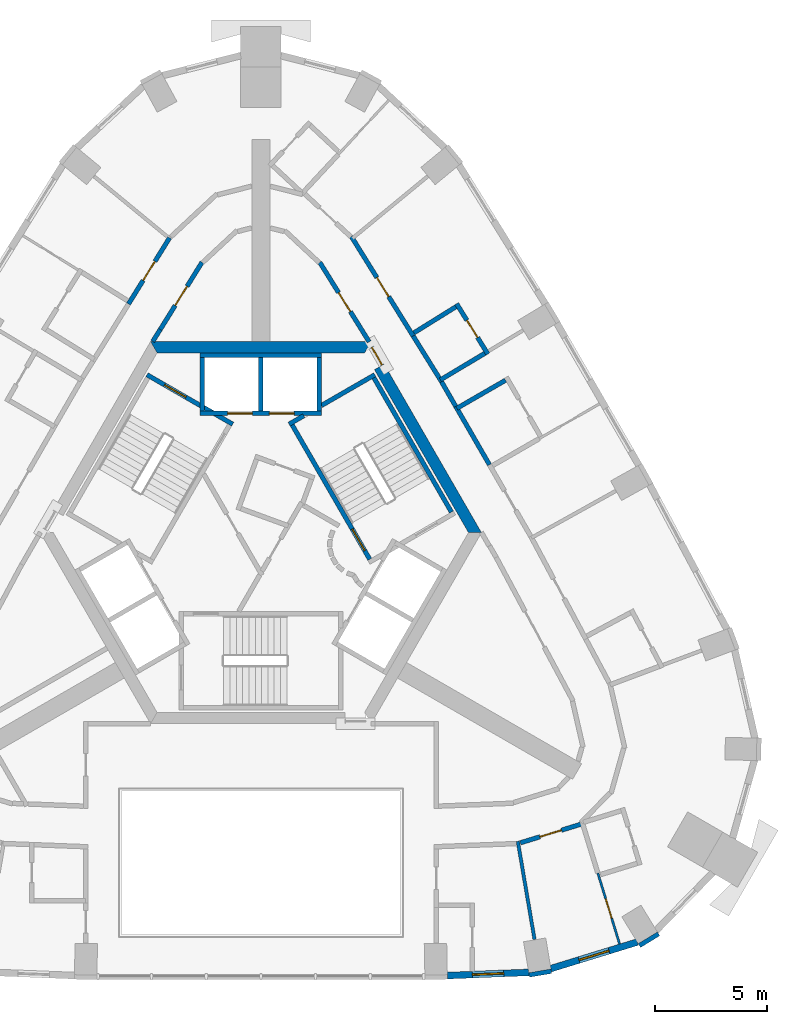
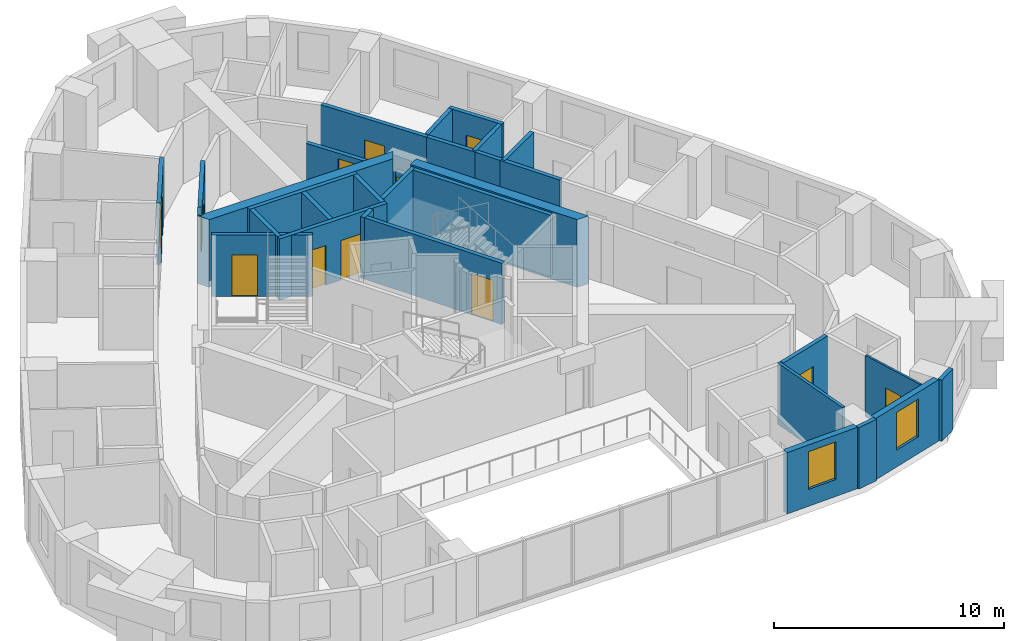
# One storey, part 5 of 10: 32 walls, 12 doors, 2 windows, 14 openings.
"""IFC4 building model written with IfcOpenShell, lengths in metres."""

from ifc_helpers import new_model, si_unit, direction, frame, frame_2d, origin, place, context, subcontext, project, spatial, polyline, rectangle, outline, extrude, material, layer, layer_set, type_object, element, fill, save


model = new_model("IFC4")

# Units and contexts
model_context = context("Model", 3, precision=1e-05, world=origin(), true_north=direction((0.0, 1.0)))
body_context = subcontext(model_context, "Body", "Model", "MODEL_VIEW")
ifc_project = project(units=[si_unit("LENGTHUNIT", "METRE"), si_unit("AREAUNIT", "SQUARE_METRE"), si_unit("VOLUMEUNIT", "CUBIC_METRE"), si_unit("PLANEANGLEUNIT", "RADIAN"), si_unit("MASSUNIT", "GRAM", prefix="KILO")], contexts=[model_context])

# Site, building, storey
site_placement = place(None, origin())
site = spatial("IfcSite", under=ifc_project, at=site_placement, CompositionType="ELEMENT")
building_placement = place(site_placement, origin())
building = spatial("IfcBuilding", under=site, at=building_placement, Name="Entoto Arch Interchange Tower", CompositionType="ELEMENT")
storey_placement = place(building_placement, frame((0.0, 0.0, 293.60009765625)))
storey = spatial("IfcBuildingStorey", under=building, at=storey_placement, Name="L68", CompositionType="ELEMENT", Elevation=293.60009765625)

# Wall, opening, door
ifc_material_1 = material(Name="Reinforced concrete C40/50", Category="concrete")
ifc_layer_1 = layer(ifc_material_1, 0.199951171875)
ifc_layer_set_1 = layer_set([ifc_layer_1], Name="Reinforced concrete C40/50")
wall_type_1 = type_object("IfcWallType", Name="CORE GAP INFILL WALL", PredefinedType="PARTITIONING", material=ifc_layer_set_1)
wall_1_placement = place(storey_placement, frame((5.39892578125, 9.947998046875, 0.0), z_axis=(0.0, 0.0, 1.0), x_axis=(-0.499882215713, 0.866093395895, 0.0)))
wall_1 = element("IfcWall", 1, at=wall_1_placement, inside=storey, type_object=wall_type_1, Name="wall:L68:gap2", PredefinedType="PARTITIONING", context=body_context, shape_type="SweptSolid", body=[
    extrude(rectangle(XDim=0.926025390625, YDim=0.199951171875, at=frame_2d((0.462890625, 0.0))), origin(), (0.0, 0.0, 1.0), 2.39990234375),
])
opening_1_placement = place(wall_1_placement, frame((0.01708984375, 0.0, 0.0)))
opening_1 = element("IfcOpeningElement", 2, at=opening_1_placement, cuts=wall_1, Name="Opening L68-D92", PredefinedType="OPENING", context=body_context, shape_type="SweptSolid", body=[
    extrude(rectangle(XDim=0.89990234375, YDim=2.10009765625, at=frame_2d((0.449951171875, 1.050048828125))), frame((0.0, 0.10986328125, 0.0), z_axis=(0.0, -1.0, 0.0), x_axis=(1.0, 0.0, 0.0)), (0.0, 0.0, 1.0), 0.219970703125),
])
ifc_material_2 = material(Name="Fire-rated Steel S235 door and frame", Category="steel")
door_type_1 = type_object("IfcDoorType", Name="DOOR FD-09 900x2100", OperationType="SINGLE_SWING_LEFT", PredefinedType="DOOR", material=ifc_material_2)
door_1_placement = place(opening_1_placement, origin())
door_1 = element("IfcDoor", 3, at=door_1_placement, inside=storey, type_object=door_type_1, Name="door:L68:gap2", OperationType="SINGLE_SWING_LEFT", OverallHeight=2.10009765625, OverallWidth=0.89990234375, PredefinedType="DOOR", context=body_context, shape_type="SweptSolid", body=[
    extrude(rectangle(XDim=0.89990234375, YDim=2.10009765625, at=frame_2d((0.449951171875, 1.050048828125))), frame((0.0, 0.02490234375, 0.0), z_axis=(0.0, -1.0, 0.0), x_axis=(1.0, 0.0, 0.0)), (0.0, 0.0, 1.0), 0.050048828125),
])
fill(opening_1, door_1)

# Walls
ifc_material_3 = material(Name="Concrete C40/50", Category="concrete")
ifc_layer_2 = layer(ifc_material_3, 0.5)
ifc_layer_set_2 = layer_set([ifc_layer_2], Name="Concrete C40/50")
wall_type_2 = type_object("IfcWallType", Name="Core wall 500 C40/50", PredefinedType="SHEAR", material=ifc_layer_set_2)
wall_2_placement = place(storey_placement, frame((0.0, 0.0, -0.340087890625)))
element("IfcWall", 4, at=wall_2_placement, inside=storey, type_object=wall_type_2, Name="Core wall NE L68", PredefinedType="SHEAR", context=body_context, shape_type="SweptSolid", body=[
    extrude(outline(polyline([(5.486083984375, 9.998046875), (5.052978515625, 9.748046875), (9.238037109375, 2.5), (9.81494140625, 2.5), (5.486083984375, 9.998046875)])), origin(), (0.0, 0.0, 1.0), 3.60009765625),
])
wall_3_placement = place(storey_placement, frame((0.0, 0.0, -0.340087890625)))
element("IfcWall", 5, at=wall_3_placement, inside=storey, type_object=wall_type_2, Name="Core wall N L68", PredefinedType="SHEAR", context=body_context, shape_type="SweptSolid", body=[
    extrude(outline(polyline([(4.906982421875, 11.0), (-4.906982421875, 11.0), (-4.618896484375, 10.5), (4.618896484375, 10.5), (4.906982421875, 11.0)])), origin(), (0.0, 0.0, 1.0), 3.60009765625),
])

# Wall, openings, doors
ifc_layer_3 = layer(ifc_material_3, 0.199951171875)
ifc_layer_set_3 = layer_set([ifc_layer_3], Name="Concrete C40/50")
wall_type_3 = type_object("IfcWallType", Name="LIFT SHAFT WALL 200", PredefinedType="STANDARD", material=ifc_layer_set_3)
wall_4_placement = place(storey_placement, frame((2.699951171875, 7.800048828125, 0.0), z_axis=(0.0, 0.0, 1.0), x_axis=(-1.0, 0.0, 0.0)))
wall_4 = element("IfcWall", 6, at=wall_4_placement, inside=storey, type_object=wall_type_3, Name="Shaft wall N1 front", PredefinedType="STANDARD", context=body_context, shape_type="SweptSolid", body=[
    extrude(rectangle(XDim=5.39990234375, YDim=0.199951171875, at=frame_2d((2.699951171875, 0.0))), origin(), (0.0, 0.0, 1.0), 3.260009765625),
])
opening_2_placement = place(wall_4_placement, frame((1.22509765625, 0.0, 0.0)))
opening_2 = element("IfcOpeningElement", 7, at=opening_2_placement, cuts=wall_4, Name="Opening LD-HR1-L68", PredefinedType="OPENING", context=body_context, shape_type="SweptSolid", body=[
    extrude(rectangle(XDim=1.10009765625, YDim=2.10009765625, at=frame_2d((0.550048828125, 1.050048828125))), frame((0.0, 0.10986328125, 0.0), z_axis=(0.0, -1.0, 0.0), x_axis=(1.0, 0.0, 0.0)), (0.0, 0.0, 1.0), 0.219970703125),
])
opening_3_placement = place(wall_4_placement, frame((3.074951171875, 0.0, 0.0)))
opening_3 = element("IfcOpeningElement", 8, at=opening_3_placement, cuts=wall_4, Name="Opening LD-HR2-L68", PredefinedType="OPENING", context=body_context, shape_type="SweptSolid", body=[
    extrude(rectangle(XDim=1.10009765625, YDim=2.10009765625, at=frame_2d((0.550048828125, 1.050048828125))), frame((0.0, 0.10986328125, 0.0), z_axis=(0.0, -1.0, 0.0), x_axis=(1.0, 0.0, 0.0)), (0.0, 0.0, 1.0), 0.219970703125),
])
ifc_material_4 = material(Name="Stainless steel 1.4301 panels", Category="steel")
door_type_2 = type_object("IfcDoorType", Name="LIFT LANDING DOOR LD1 1100x2100", OperationType="SLIDING_TO_LEFT", PredefinedType="DOOR", material=ifc_material_4)
door_2_placement = place(opening_2_placement, origin())
door_2 = element("IfcDoor", 9, at=door_2_placement, inside=storey, type_object=door_type_2, Name="Lift landing door HR1 L68", OperationType="SLIDING_TO_LEFT", OverallHeight=2.10009765625, OverallWidth=1.10009765625, PredefinedType="DOOR", context=body_context, shape_type="SweptSolid", body=[
    extrude(rectangle(XDim=1.10009765625, YDim=2.10009765625, at=frame_2d((0.550048828125, 1.050048828125))), frame((0.0, 0.02490234375, 0.0), z_axis=(0.0, -1.0, 0.0), x_axis=(1.0, 0.0, 0.0)), (0.0, 0.0, 1.0), 0.050048828125),
])
fill(opening_2, door_2)
door_3_placement = place(opening_3_placement, origin())
door_3 = element("IfcDoor", 10, at=door_3_placement, inside=storey, type_object=door_type_2, Name="Lift landing door HR2 L68", OperationType="SLIDING_TO_LEFT", OverallHeight=2.10009765625, OverallWidth=1.10009765625, PredefinedType="DOOR", context=body_context, shape_type="SweptSolid", body=[
    extrude(rectangle(XDim=1.10009765625, YDim=2.10009765625, at=frame_2d((0.550048828125, 1.050048828125))), frame((0.0, 0.02490234375, 0.0), z_axis=(0.0, -1.0, 0.0), x_axis=(1.0, 0.0, 0.0)), (0.0, 0.0, 1.0), 0.050048828125),
])
fill(opening_3, door_3)

# Walls
wall_5_placement = place(storey_placement, frame((2.699951171875, 10.39990234375, 0.0), z_axis=(0.0, 0.0, 1.0), x_axis=(-1.0, 0.0, 0.0)))
element("IfcWall", 11, at=wall_5_placement, inside=storey, type_object=wall_type_3, Name="Shaft wall N1 back", PredefinedType="STANDARD", context=body_context, shape_type="SweptSolid", body=[
    extrude(rectangle(XDim=5.39990234375, YDim=0.199951171875, at=frame_2d((2.699951171875, 0.0))), origin(), (0.0, 0.0, 1.0), 3.260009765625),
])
for number, where, z_axis, x_axis, name in (
    (12, (2.60009765625, 7.89990234375, 0.0), (0.0, 0.0, 1.0), (0.0, 1.0, 0.0), "Shaft wall N1 cross 1"),
    (13, (0.0, 7.89990234375, 0.0), (0.0, 0.0, 1.0), (0.0, 1.0, 0.0), "Shaft wall N1 cross 2"),
    (14, (-2.60009765625, 7.89990234375, 0.0), (0.0, 0.0, 1.0), (0.0, 1.0, 0.0), "Shaft wall N1 cross 3"),
):
    element("IfcWall", number, at=place(storey_placement, frame(where, z_axis=z_axis, x_axis=x_axis)), inside=storey, type_object=wall_type_3, Name=name, PredefinedType="STANDARD", context=body_context, shape_type="SweptSolid", body=[
        extrude(rectangle(XDim=2.400146484375, YDim=0.199951171875, at=frame_2d((1.2001953125, 0.0))), origin(), (0.0, 0.0, 1.0), 3.260009765625),
    ])

# Wall, opening, door
ifc_material_5 = material(Name="Gypsum board partition on steel studs", Category="steel")
ifc_layer_4 = layer(ifc_material_5, 0.10009765625)
ifc_layer_set_4 = layer_set([ifc_layer_4], Name="Gypsum board partition on steel studs")
wall_type_4 = type_object("IfcWallType", Name="PARTITION 100", PredefinedType="PARTITIONING", material=ifc_layer_set_4)
wall_6_placement = place(storey_placement, frame((14.991943359375, -12.64990234375, 0.0), z_axis=(0.0, 0.0, 1.0), x_axis=(0.293675064948, -0.955905307145, 0.0)))
wall_6 = element("IfcWall", 15, at=wall_6_placement, inside=storey, type_object=wall_type_4, Name="wall:L68:p088", PredefinedType="PARTITIONING", context=body_context, shape_type="SweptSolid", body=[
    extrude(rectangle(XDim=3.299560546875, YDim=0.10009765625, at=frame_2d((1.64990234375, 0.0))), origin(), (0.0, 0.0, 1.0), 3.260009765625),
])
opening_4_placement = place(wall_6_placement, frame((1.199951171875, 0.0, 0.0)))
opening_4 = element("IfcOpeningElement", 16, at=opening_4_placement, cuts=wall_6, Name="Opening L68-D04", PredefinedType="OPENING", context=body_context, shape_type="SweptSolid", body=[
    extrude(rectangle(XDim=0.89990234375, YDim=2.10009765625, at=frame_2d((0.449951171875, 1.050048828125))), frame((0.0, 0.06005859375, 0.0), z_axis=(0.0, -1.0, 0.0), x_axis=(1.0, 0.0, 0.0)), (0.0, 0.0, 1.0), 0.1201171875),
])
ifc_material_6 = material(Name="Timber door leaf in Steel S235 frame", Category="steel")
door_type_3 = type_object("IfcDoorType", Name="DOOR DS-09 900x2100", OperationType="SINGLE_SWING_LEFT", PredefinedType="DOOR", material=ifc_material_6)
door_4_placement = place(opening_4_placement, origin())
door_4 = element("IfcDoor", 17, at=door_4_placement, inside=storey, type_object=door_type_3, Name="door:L68:04", OperationType="SINGLE_SWING_LEFT", OverallHeight=2.10009765625, OverallWidth=0.89990234375, PredefinedType="DOOR", context=body_context, shape_type="SweptSolid", body=[
    extrude(rectangle(XDim=0.89990234375, YDim=2.10009765625, at=frame_2d((0.449951171875, 1.050048828125))), frame((0.0, 0.02490234375, 0.0), z_axis=(0.0, -1.0, 0.0), x_axis=(1.0, 0.0, 0.0)), (0.0, 0.0, 1.0), 0.050048828125),
])
fill(opening_4, door_4)

# Wall
ifc_layer_5 = layer(ifc_material_5, 0.14990234375)
ifc_layer_set_5 = layer_set([ifc_layer_5], Name="Gypsum board partition on steel studs")
wall_type_5 = type_object("IfcWallType", Name="PARTITION 150", PredefinedType="PARTITIONING", material=ifc_layer_set_5)
wall_7_placement = place(storey_placement, frame((11.431884765625, -11.23388671875, 0.0), z_axis=(0.0, 0.0, 1.0), x_axis=(0.16797255243, -0.98579167253, 0.0)))
element("IfcWall", 18, at=wall_7_placement, inside=storey, type_object=wall_type_5, Name="wall:L68:p087", PredefinedType="PARTITIONING", context=body_context, shape_type="SweptSolid", body=[
    extrude(rectangle(XDim=4.43017578125, YDim=0.14990234375, at=frame_2d((2.215087890625, 0.0))), origin(), (0.0, 0.0, 1.0), 3.260009765625),
])

# Wall, opening, door
ifc_layer_6 = layer(ifc_material_5, 0.199951171875)
ifc_layer_set_6 = layer_set([ifc_layer_6], Name="Gypsum board partition on steel studs")
wall_type_6 = type_object("IfcWallType", Name="PARTITION 200", PredefinedType="PARTITIONING", material=ifc_layer_set_6)
wall_8_placement = place(storey_placement, frame((2.6201171875, 14.52587890625, 0.0), z_axis=(0.0, 0.0, 1.0), x_axis=(0.527726136463, -0.84941457775, 0.0)))
wall_8 = element("IfcWall", 19, at=wall_8_placement, inside=storey, type_object=wall_type_6, Name="wall:L68:p006", PredefinedType="PARTITIONING", context=body_context, shape_type="SweptSolid", body=[
    extrude(rectangle(XDim=4.1650390625, YDim=0.199951171875, at=frame_2d((2.08251953125, 0.0))), origin(), (0.0, 0.0, 1.0), 2.39990234375),
])
opening_5_placement = place(wall_8_placement, frame((1.5830078125, 0.0, 0.0)))
opening_5 = element("IfcOpeningElement", 20, at=opening_5_placement, cuts=wall_8, Name="Opening L68-D29", PredefinedType="OPENING", context=body_context, shape_type="SweptSolid", body=[
    extrude(rectangle(XDim=1.0, YDim=2.10009765625, at=frame_2d((0.5, 1.050048828125))), frame((0.0, 0.10986328125, 0.0), z_axis=(0.0, -1.0, 0.0), x_axis=(1.0, 0.0, 0.0)), (0.0, 0.0, 1.0), 0.219970703125),
])
door_type_4 = type_object("IfcDoorType", Name="DOOR DS-10 1000x2100", OperationType="SINGLE_SWING_LEFT", PredefinedType="DOOR", material=ifc_material_6)
door_5_placement = place(opening_5_placement, origin())
door_5 = element("IfcDoor", 21, at=door_5_placement, inside=storey, type_object=door_type_4, Name="door:L68:29", OperationType="SINGLE_SWING_RIGHT", OverallHeight=2.10009765625, OverallWidth=1.0, PredefinedType="DOOR", context=body_context, shape_type="SweptSolid", body=[
    extrude(rectangle(XDim=1.0, YDim=2.10009765625, at=frame_2d((0.5, 1.050048828125))), frame((0.0, 0.02490234375, 0.0), z_axis=(0.0, -1.0, 0.0), x_axis=(1.0, 0.0, 0.0)), (0.0, 0.0, 1.0), 0.050048828125),
])
fill(opening_5, door_5)

wall_9_placement = place(storey_placement, frame((-2.6201171875, 14.52587890625, 0.0), z_axis=(0.0, 0.0, 1.0), x_axis=(-0.527787942423, -0.849376175692, 0.0)))
wall_9 = element("IfcWall", 22, at=wall_9_placement, inside=storey, type_object=wall_type_6, Name="wall:L68:p011", PredefinedType="PARTITIONING", context=body_context, shape_type="SweptSolid", body=[
    extrude(rectangle(XDim=3.5166015625, YDim=0.199951171875, at=frame_2d((1.75830078125, 0.0))), origin(), (0.0, 0.0, 1.0), 3.260009765625),
])
opening_6_placement = place(wall_9_placement, frame((1.258056640625, 0.0, 0.0)))
opening_6 = element("IfcOpeningElement", 23, at=opening_6_placement, cuts=wall_9, Name="Opening L68-D30", PredefinedType="OPENING", context=body_context, shape_type="SweptSolid", body=[
    extrude(rectangle(XDim=1.0, YDim=2.10009765625, at=frame_2d((0.5, 1.050048828125))), frame((0.0, 0.10986328125, 0.0), z_axis=(0.0, -1.0, 0.0), x_axis=(1.0, 0.0, 0.0)), (0.0, 0.0, 1.0), 0.219970703125),
])
door_6_placement = place(opening_6_placement, origin())
door_6 = element("IfcDoor", 24, at=door_6_placement, inside=storey, type_object=door_type_4, Name="door:L68:30", OperationType="SINGLE_SWING_RIGHT", OverallHeight=2.10009765625, OverallWidth=1.0, PredefinedType="DOOR", context=body_context, shape_type="SweptSolid", body=[
    extrude(rectangle(XDim=1.0, YDim=2.10009765625, at=frame_2d((0.5, 1.050048828125))), frame((0.0, 0.02490234375, 0.0), z_axis=(0.0, -1.0, 0.0), x_axis=(1.0, 0.0, 0.0)), (0.0, 0.0, 1.0), 0.050048828125),
])
fill(opening_6, door_6)

# Wall
wall_10_placement = place(storey_placement, frame((-4.47802734375, 11.5400390625, 0.0), z_axis=(0.0, 0.0, 1.0), x_axis=(-0.527362861778, -0.849640166198, 0.0)))
element("IfcWall", 25, at=wall_10_placement, inside=storey, type_object=wall_type_6, Name="wall:L68:p012", PredefinedType="PARTITIONING", context=body_context, shape_type="SweptSolid", body=[
    extrude(rectangle(XDim=0.63330078125, YDim=0.199951171875, at=frame_2d((0.316650390625, 0.0))), origin(), (0.0, 0.0, 1.0), 3.260009765625),
])

# Wall, opening, door
wall_11_placement = place(storey_placement, frame((14.242919921875, -10.47412109375, 0.0), z_axis=(0.0, 0.0, 1.0), x_axis=(-0.955937788993, -0.293569316475, 0.0)))
wall_11 = element("IfcWall", 26, at=wall_11_placement, inside=storey, type_object=wall_type_6, Name="wall:L68:p031", PredefinedType="PARTITIONING", context=body_context, shape_type="SweptSolid", body=[
    extrude(rectangle(XDim=2.823486328125, YDim=0.199951171875, at=frame_2d((1.41162109375, 0.0))), origin(), (0.0, 0.0, 1.0), 3.260009765625),
])
opening_7_placement = place(wall_11_placement, frame((0.912109375, 0.0, 0.0)))
opening_7 = element("IfcOpeningElement", 27, at=opening_7_placement, cuts=wall_11, Name="Opening L68-D03", PredefinedType="OPENING", context=body_context, shape_type="SweptSolid", body=[
    extrude(rectangle(XDim=1.0, YDim=2.10009765625, at=frame_2d((0.5, 1.050048828125))), frame((0.0, 0.10986328125, 0.0), z_axis=(0.0, -1.0, 0.0), x_axis=(1.0, 0.0, 0.0)), (0.0, 0.0, 1.0), 0.219970703125),
])
door_type_5 = type_object("IfcDoorType", Name="DOOR FD-10 1000x2100", OperationType="SINGLE_SWING_LEFT", PredefinedType="DOOR", material=ifc_material_2)
door_7_placement = place(opening_7_placement, origin())
door_7 = element("IfcDoor", 28, at=door_7_placement, inside=storey, type_object=door_type_5, Name="door:L68:03", OperationType="SINGLE_SWING_LEFT", OverallHeight=2.10009765625, OverallWidth=1.0, PredefinedType="DOOR", context=body_context, shape_type="SweptSolid", body=[
    extrude(rectangle(XDim=1.0, YDim=2.10009765625, at=frame_2d((0.5, 1.050048828125))), frame((0.0, 0.02490234375, 0.0), z_axis=(0.0, -1.0, 0.0), x_axis=(1.0, 0.0, 0.0)), (0.0, 0.0, 1.0), 0.050048828125),
])
fill(opening_7, door_7)

# Walls
wall_12_placement = place(storey_placement, frame((8.0390625, 9.208984375, 0.0), z_axis=(0.0, 0.0, 1.0), x_axis=(0.500219543227, -0.865898613334, 0.0)))
element("IfcWall", 29, at=wall_12_placement, inside=storey, type_object=wall_type_6, Name="wall:L68:p038", PredefinedType="PARTITIONING", context=body_context, shape_type="SweptSolid", body=[
    extrude(rectangle(XDim=1.26123046875, YDim=0.199951171875, at=frame_2d((0.630615234375, 0.0))), origin(), (0.0, 0.0, 1.0), 3.260009765625),
])
wall_13_placement = place(storey_placement, frame((8.669921875, 8.116943359375, 0.0), z_axis=(0.0, 0.0, 1.0), x_axis=(0.50002537861, -0.866010750942, 0.0)))
element("IfcWall", 30, at=wall_13_placement, inside=storey, type_object=wall_type_6, Name="wall:L68:p039", PredefinedType="PARTITIONING", context=body_context, shape_type="SweptSolid", body=[
    extrude(rectangle(XDim=2.999755859375, YDim=0.199951171875, at=frame_2d((1.5, 0.0))), origin(), (0.0, 0.0, 1.0), 3.260009765625),
])

# Wall, opening, door
wall_14_placement = place(storey_placement, frame((4.02197265625, 15.679931640625, 0.0), z_axis=(0.0, 0.0, 1.0), x_axis=(0.527737948498, -0.849407239029, 0.0)))
wall_14 = element("IfcWall", 31, at=wall_14_placement, inside=storey, type_object=wall_type_6, Name="wall:L68:p040", PredefinedType="PARTITIONING", context=body_context, shape_type="SweptSolid", body=[
    extrude(rectangle(XDim=5.216552734375, YDim=0.199951171875, at=frame_2d((2.6083984375, 0.0))), origin(), (0.0, 0.0, 1.0), 3.260009765625),
])
opening_8_placement = place(wall_14_placement, frame((2.158935546875, 0.0, 0.0)))
opening_8 = element("IfcOpeningElement", 32, at=opening_8_placement, cuts=wall_14, Name="Opening L68-D11", PredefinedType="OPENING", context=body_context, shape_type="SweptSolid", body=[
    extrude(rectangle(XDim=1.0, YDim=2.10009765625, at=frame_2d((0.5, 1.050048828125))), frame((0.0, 0.10986328125, 0.0), z_axis=(0.0, -1.0, 0.0), x_axis=(1.0, 0.0, 0.0)), (0.0, 0.0, 1.0), 0.219970703125),
])
door_8_placement = place(opening_8_placement, origin())
door_8 = element("IfcDoor", 33, at=door_8_placement, inside=storey, type_object=door_type_5, Name="door:L68:11", OperationType="SINGLE_SWING_LEFT", OverallHeight=2.10009765625, OverallWidth=1.0, PredefinedType="DOOR", context=body_context, shape_type="SweptSolid", body=[
    extrude(rectangle(XDim=1.0, YDim=2.10009765625, at=frame_2d((0.5, 1.050048828125))), frame((0.0, 0.02490234375, 0.0), z_axis=(0.0, -1.0, 0.0), x_axis=(1.0, 0.0, 0.0)), (0.0, 0.0, 1.0), 0.050048828125),
])
fill(opening_8, door_8)

# Wall
wall_15_placement = place(storey_placement, frame((6.77490234375, 11.2490234375, 0.0), z_axis=(0.0, 0.0, 1.0), x_axis=(0.527803270752, -0.849366650736, 0.0)))
element("IfcWall", 34, at=wall_15_placement, inside=storey, type_object=wall_type_6, Name="wall:L68:p041", PredefinedType="PARTITIONING", context=body_context, shape_type="SweptSolid", body=[
    extrude(rectangle(XDim=2.400634765625, YDim=0.199951171875, at=frame_2d((1.2001953125, 0.0))), origin(), (0.0, 0.0, 1.0), 3.260009765625),
])

# Wall, opening, door
wall_16_placement = place(storey_placement, frame((-5.888916015625, 12.675048828125, 0.0), z_axis=(0.0, 0.0, 1.0), x_axis=(0.527550626699, 0.849523593709, 0.0)))
wall_16 = element("IfcWall", 35, at=wall_16_placement, inside=storey, type_object=wall_type_6, Name="wall:L68:p046", PredefinedType="PARTITIONING", context=body_context, shape_type="SweptSolid", body=[
    extrude(rectangle(XDim=3.462890625, YDim=0.199951171875, at=frame_2d((1.7314453125, 0.0))), origin(), (0.0, 0.0, 1.0), 3.260009765625),
])
opening_9_placement = place(wall_16_placement, frame((1.23095703125, 0.0, 0.0)))
opening_9 = element("IfcOpeningElement", 36, at=opening_9_placement, cuts=wall_16, Name="Opening L68-D16", PredefinedType="OPENING", context=body_context, shape_type="SweptSolid", body=[
    extrude(rectangle(XDim=1.0, YDim=2.10009765625, at=frame_2d((0.5, 1.050048828125))), frame((0.0, 0.10986328125, 0.0), z_axis=(0.0, -1.0, 0.0), x_axis=(1.0, 0.0, 0.0)), (0.0, 0.0, 1.0), 0.219970703125),
])
door_9_placement = place(opening_9_placement, origin())
door_9 = element("IfcDoor", 37, at=door_9_placement, inside=storey, type_object=door_type_5, Name="door:L68:16", OperationType="SINGLE_SWING_LEFT", OverallHeight=2.10009765625, OverallWidth=1.0, PredefinedType="DOOR", context=body_context, shape_type="SweptSolid", body=[
    extrude(rectangle(XDim=1.0, YDim=2.10009765625, at=frame_2d((0.5, 1.050048828125))), frame((0.0, 0.02490234375, 0.0), z_axis=(0.0, -1.0, 0.0), x_axis=(1.0, 0.0, 0.0)), (0.0, 0.0, 1.0), 0.050048828125),
])
fill(opening_9, door_9)

# Walls
wall_17_placement = place(storey_placement, frame((10.885009765625, 9.280029296875, 0.0), z_axis=(0.0, 0.0, 1.0), x_axis=(-0.866022959057, -0.500004234368, 0.0)))
element("IfcWall", 38, at=wall_17_placement, inside=storey, type_object=wall_type_6, Name="wall:L68:p101", PredefinedType="PARTITIONING", context=body_context, shape_type="SweptSolid", body=[
    extrude(rectangle(XDim=2.5, YDim=0.199951171875, at=frame_2d((1.25, 0.0))), origin(), (0.0, 0.0, 1.0), 3.260009765625),
])
wall_18_placement = place(storey_placement, frame((7.989013671875, 9.294921875, 0.0), z_axis=(0.0, 0.0, 1.0), x_axis=(0.857801856135, 0.513980520654, 0.0)))
element("IfcWall", 39, at=wall_18_placement, inside=storey, type_object=wall_type_6, Name="wall:L68:p103", PredefinedType="PARTITIONING", context=body_context, shape_type="SweptSolid", body=[
    extrude(rectangle(XDim=2.300048828125, YDim=0.199951171875, at=frame_2d((1.14990234375, 0.0))), origin(), (0.0, 0.0, 1.0), 3.260009765625),
])

# Wall, opening, door
wall_19_placement = place(storey_placement, frame((10.10009765625, 10.443115234375, 0.0), z_axis=(0.0, 0.0, 1.0), x_axis=(-0.527510239672, 0.849548672555, 0.0)))
wall_19 = element("IfcWall", 40, at=wall_19_placement, inside=storey, type_object=wall_type_6, Name="wall:L68:p104", PredefinedType="PARTITIONING", context=body_context, shape_type="SweptSolid", body=[
    extrude(rectangle(XDim=2.638916015625, YDim=0.199951171875, at=frame_2d((1.3193359375, 0.0))), origin(), (0.0, 0.0, 1.0), 3.260009765625),
])
opening_10_placement = place(wall_19_placement, frame((0.868896484375, 0.0, 0.0)))
opening_10 = element("IfcOpeningElement", 41, at=opening_10_placement, cuts=wall_19, Name="Opening L68-D12", PredefinedType="OPENING", context=body_context, shape_type="SweptSolid", body=[
    extrude(rectangle(XDim=0.89990234375, YDim=2.10009765625, at=frame_2d((0.449951171875, 1.050048828125))), frame((0.0, 0.10986328125, 0.0), z_axis=(0.0, -1.0, 0.0), x_axis=(1.0, 0.0, 0.0)), (0.0, 0.0, 1.0), 0.219970703125),
])
door_10_placement = place(opening_10_placement, origin())
door_10 = element("IfcDoor", 42, at=door_10_placement, inside=storey, type_object=door_type_3, Name="door:L68:12", OperationType="SINGLE_SWING_LEFT", OverallHeight=2.10009765625, OverallWidth=0.89990234375, PredefinedType="DOOR", context=body_context, shape_type="SweptSolid", body=[
    extrude(rectangle(XDim=0.89990234375, YDim=2.10009765625, at=frame_2d((0.449951171875, 1.050048828125))), frame((0.0, 0.02490234375, 0.0), z_axis=(0.0, -1.0, 0.0), x_axis=(1.0, 0.0, 0.0)), (0.0, 0.0, 1.0), 0.050048828125),
])
fill(opening_10, door_10)

# Walls
wall_20_placement = place(storey_placement, frame((8.676025390625, 12.548095703125, 0.0), z_axis=(0.0, 0.0, 1.0), x_axis=(-0.849286670427, -0.527931957202, 0.0)))
element("IfcWall", 43, at=wall_20_placement, inside=storey, type_object=wall_type_6, Name="wall:L68:p105", PredefinedType="PARTITIONING", context=body_context, shape_type="SweptSolid", body=[
    extrude(rectangle(XDim=2.199462890625, YDim=0.199951171875, at=frame_2d((1.099609375, 0.0))), origin(), (0.0, 0.0, 1.0), 3.260009765625),
])
ifc_layer_7 = layer(ifc_material_3, 0.199951171875)
ifc_layer_set_7 = layer_set([ifc_layer_7], Name="Concrete C40/50")
wall_type_7 = type_object("IfcWallType", Name="STAIR ENCLOSURE WALL 200", PredefinedType="STANDARD", material=ifc_layer_set_7)
wall_21_placement = place(storey_placement, frame((2.699951171875, 8.157958984375, 0.0), z_axis=(0.0, 0.0, 1.0), x_axis=(0.86611865017, 0.499838457731, 0.0)))
element("IfcWall", 44, at=wall_21_placement, inside=storey, type_object=wall_type_7, Name="Stair wall ST-NE far", PredefinedType="STANDARD", context=body_context, shape_type="SweptSolid", body=[
    extrude(rectangle(XDim=2.73291015625, YDim=0.199951171875, at=frame_2d((1.366455078125, 0.0))), origin(), (0.0, 0.0, 1.0), 3.260009765625),
])
wall_22_placement = place(storey_placement, frame((1.256103515625, 7.323974609375, 0.0), z_axis=(0.0, 0.0, 1.0), x_axis=(0.865915093549, 0.500191014278, 0.0)))
element("IfcWall", 45, at=wall_22_placement, inside=storey, type_object=wall_type_7, Name="Stair wall ST-NE far return", PredefinedType="STANDARD", context=body_context, shape_type="SweptSolid", body=[
    extrude(rectangle(XDim=0.751708984375, YDim=0.199951171875, at=frame_2d((0.3759765625, 0.0))), origin(), (0.0, 0.0, 1.0), 3.260009765625),
])

# Wall, opening, door
wall_23_placement = place(storey_placement, frame((4.843017578125, 1.31201171875, 0.0), z_axis=(0.0, 0.0, 1.0), x_axis=(-0.499963383562, 0.866046543262, 0.0)))
wall_23 = element("IfcWall", 46, at=wall_23_placement, inside=storey, type_object=wall_type_7, Name="Stair wall ST-NE hall", PredefinedType="STANDARD", context=body_context, shape_type="SweptSolid", body=[
    extrude(rectangle(XDim=6.900390625, YDim=0.199951171875, at=frame_2d((3.4501953125, 0.0))), origin(), (0.0, 0.0, 1.0), 3.260009765625),
])
opening_11_placement = place(wall_23_placement, frame((0.449951171875, 0.0, 0.0)))
opening_11 = element("IfcOpeningElement", 47, at=opening_11_placement, cuts=wall_23, Name="Opening SD-ST-NE-L68", PredefinedType="OPENING", context=body_context, shape_type="SweptSolid", body=[
    extrude(rectangle(XDim=1.10009765625, YDim=2.199951171875, at=frame_2d((0.550048828125, 1.10009765625))), frame((0.0, 0.10986328125, 0.0), z_axis=(0.0, -1.0, 0.0), x_axis=(1.0, 0.0, 0.0)), (0.0, 0.0, 1.0), 0.219970703125),
])
ifc_material_7 = material(Name="Steel S235", Category="steel")
door_type_6 = type_object("IfcDoorType", Name="STAIR DOOR SD1 1100x2200", OperationType="SINGLE_SWING_LEFT", PredefinedType="DOOR", material=ifc_material_7)
door_11_placement = place(opening_11_placement, origin())
door_11 = element("IfcDoor", 48, at=door_11_placement, inside=storey, type_object=door_type_6, Name="Stair door ST-NE L68", OperationType="SINGLE_SWING_LEFT", OverallHeight=2.199951171875, OverallWidth=1.10009765625, PredefinedType="DOOR", context=body_context, shape_type="SweptSolid", body=[
    extrude(rectangle(XDim=1.10009765625, YDim=2.199951171875, at=frame_2d((0.550048828125, 1.10009765625))), frame((0.0, 0.02490234375, 0.0), z_axis=(0.0, -1.0, 0.0), x_axis=(1.0, 0.0, 0.0)), (0.0, 0.0, 1.0), 0.050048828125),
])
fill(opening_11, door_11)

# Wall
wall_24_placement = place(storey_placement, frame((8.47998046875, 3.412109375, 0.0), z_axis=(0.0, 0.0, 1.0), x_axis=(-0.499978703459, 0.866037698999, 0.0)))
element("IfcWall", 49, at=wall_24_placement, inside=storey, type_object=wall_type_7, Name="Stair wall ST-NE back", PredefinedType="STANDARD", context=body_context, shape_type="SweptSolid", body=[
    extrude(rectangle(XDim=6.900146484375, YDim=0.199951171875, at=frame_2d((3.4501953125, 0.0))), origin(), (0.0, 0.0, 1.0), 3.260009765625),
])

# Wall, opening, door
wall_25_placement = place(storey_placement, frame((-1.256103515625, 7.323974609375, 0.0), z_axis=(0.0, 0.0, 1.0), x_axis=(-0.866046073146, 0.499964197906, 0.0)))
wall_25 = element("IfcWall", 50, at=wall_25_placement, inside=storey, type_object=wall_type_7, Name="Stair wall ST-NW near", PredefinedType="STANDARD", context=body_context, shape_type="SweptSolid", body=[
    extrude(rectangle(XDim=4.400146484375, YDim=0.199951171875, at=frame_2d((2.2001953125, 0.0))), origin(), (0.0, 0.0, 1.0), 3.260009765625),
])
opening_12_placement = place(wall_25_placement, frame((2.39990234375, 0.0, 0.0)))
opening_12 = element("IfcOpeningElement", 51, at=opening_12_placement, cuts=wall_25, Name="Opening SD-ST-NW-L68-E", PredefinedType="OPENING", context=body_context, shape_type="SweptSolid", body=[
    extrude(rectangle(XDim=1.10009765625, YDim=2.199951171875, at=frame_2d((0.550048828125, 1.10009765625))), frame((0.0, 0.10986328125, 0.0), z_axis=(0.0, -1.0, 0.0), x_axis=(1.0, 0.0, 0.0)), (0.0, 0.0, 1.0), 0.219970703125),
])
door_12_placement = place(opening_12_placement, origin())
door_12 = element("IfcDoor", 52, at=door_12_placement, inside=storey, type_object=door_type_6, Name="Stair door ST-NW L68 end", OperationType="SINGLE_SWING_LEFT", OverallHeight=2.199951171875, OverallWidth=1.10009765625, PredefinedType="DOOR", context=body_context, shape_type="SweptSolid", body=[
    extrude(rectangle(XDim=1.10009765625, YDim=2.199951171875, at=frame_2d((0.550048828125, 1.10009765625))), frame((0.0, 0.02490234375, 0.0), z_axis=(0.0, -1.0, 0.0), x_axis=(1.0, 0.0, 0.0)), (0.0, 0.0, 1.0), 0.050048828125),
])
fill(opening_12, door_12)

# Wall, opening, window
ifc_material_8 = material(Name="Welded tuff (ignimbrite) cladding, warm buff", Category="masonry")
ifc_layer_8 = layer(ifc_material_8, 0.300048828125)
ifc_layer_set_8 = layer_set([ifc_layer_8], Name="Welded tuff (ignimbrite) cladding, warm buff")
wall_type_8 = type_object("IfcWallType", Name="STONE INFILL WALL 300", PredefinedType="STANDARD", material=ifc_layer_set_8)
wall_26_placement = place(storey_placement, frame((8.2958984375, -17.2109375, 0.0), z_axis=(0.0, 0.0, 1.0), x_axis=(0.999234893779, 0.039110446866, 0.0)))
wall_26 = element("IfcWall", 53, at=wall_26_placement, inside=storey, type_object=wall_type_8, Name="Facade wall S-03 L68", PredefinedType="STANDARD", context=body_context, shape_type="SweptSolid", body=[
    extrude(rectangle(XDim=3.626708984375, YDim=0.300048828125, at=frame_2d((1.8134765625, 0.0))), origin(), (0.0, 0.0, 1.0), 3.260009765625),
])
opening_13_placement = place(wall_26_placement, frame((1.113037109375, 0.0, 0.89990234375)))
opening_13 = element("IfcOpeningElement", 54, at=opening_13_placement, cuts=wall_26, Name="Opening WH-B", PredefinedType="OPENING", context=body_context, shape_type="SweptSolid", body=[
    extrude(rectangle(XDim=1.39990234375, YDim=2.0, at=frame_2d((0.699951171875, 1.0))), frame((0.0, 0.16015625, 0.0), z_axis=(0.0, -1.0, 0.0), x_axis=(1.0, 0.0, 0.0)), (0.0, 0.0, 1.0), 0.320068359375),
])
ifc_material_9 = material(Name="Clear glass, low-e double glazed", Category="glass")
window_type = type_object("IfcWindowType", Name="WINDOW WH-B 1400x2000", PartitioningType="DOUBLE_PANEL_VERTICAL", PredefinedType="WINDOW", material=ifc_material_9)
window_1_placement = place(opening_13_placement, origin())
window_1 = element("IfcWindow", 55, at=window_1_placement, inside=storey, type_object=window_type, Name="Window WH-B S-03 L68", OverallHeight=2.0, OverallWidth=1.39990234375, PartitioningType="SINGLE_PANEL", PredefinedType="WINDOW", context=body_context, shape_type="SweptSolid", body=[
    extrude(rectangle(XDim=1.39990234375, YDim=2.0, at=frame_2d((0.699951171875, 1.0))), frame((0.0, 0.030029296875, 0.0), z_axis=(0.0, -1.0, 0.0), x_axis=(1.0, 0.0, 0.0)), (0.0, 0.0, 1.0), 0.06005859375),
])
fill(opening_13, window_1)

wall_27_placement = place(storey_placement, frame((12.904052734375, -16.90087890625, 0.0), z_axis=(0.0, 0.0, 1.0), x_axis=(0.955866957005, 0.293799864716, 0.0)))
wall_27 = element("IfcWall", 56, at=wall_27_placement, inside=storey, type_object=wall_type_8, Name="Facade wall SE-01 L68", PredefinedType="STANDARD", context=body_context, shape_type="SweptSolid", body=[
    extrude(rectangle(XDim=4.01953125, YDim=0.300048828125, at=frame_2d((2.009765625, 0.0))), origin(), (0.0, 0.0, 1.0), 3.260009765625),
])
opening_14_placement = place(wall_27_placement, frame((1.31005859375, 0.0, 0.89990234375)))
opening_14 = element("IfcOpeningElement", 57, at=opening_14_placement, cuts=wall_27, Name="Opening WH-B", PredefinedType="OPENING", context=body_context, shape_type="SweptSolid", body=[
    extrude(rectangle(XDim=1.39990234375, YDim=2.0, at=frame_2d((0.699951171875, 1.0))), frame((0.0, 0.16015625, 0.0), z_axis=(0.0, -1.0, 0.0), x_axis=(1.0, 0.0, 0.0)), (0.0, 0.0, 1.0), 0.320068359375),
])
window_2_placement = place(opening_14_placement, origin())
window_2 = element("IfcWindow", 58, at=window_2_placement, inside=storey, type_object=window_type, Name="Window WH-B SE-01 L68", OverallHeight=2.0, OverallWidth=1.39990234375, PartitioningType="SINGLE_PANEL", PredefinedType="WINDOW", context=body_context, shape_type="SweptSolid", body=[
    extrude(rectangle(XDim=1.39990234375, YDim=2.0, at=frame_2d((0.699951171875, 1.0))), frame((0.0, 0.030029296875, 0.0), z_axis=(0.0, -1.0, 0.0), x_axis=(1.0, 0.0, 0.0)), (0.0, 0.0, 1.0), 0.06005859375),
])
fill(opening_14, window_2)

# Walls
ifc_layer_9 = layer(ifc_material_8, 0.199951171875)
ifc_layer_set_9 = layer_set([ifc_layer_9], Name="Welded tuff (ignimbrite) cladding, warm buff")
wall_type_9 = type_object("IfcWallType", Name="STONE PIER CLADDING 200", PredefinedType="STANDARD", material=ifc_layer_set_9)
wall_28_placement = place(storey_placement, frame((11.93798828125, -17.18310546875, 0.0), z_axis=(0.0, 0.0, 1.0), x_axis=(0.985760116403, 0.168157643031, 0.0)))
element("IfcWall", 59, at=wall_28_placement, inside=storey, type_object=wall_type_9, Name="Stone pier S04 L68", PredefinedType="STANDARD", context=body_context, shape_type="SweptSolid", body=[
    extrude(rectangle(XDim=1.000244140625, YDim=0.199951171875, at=frame_2d((0.5, 0.0))), origin(), (0.0, 0.0, 1.0), 3.260009765625),
])
wall_29_placement = place(storey_placement, frame((16.840087890625, -15.8759765625, 0.0), z_axis=(0.0, 0.0, 1.0), x_axis=(0.853679739553, 0.520798331677, 0.0)))
element("IfcWall", 60, at=wall_29_placement, inside=storey, type_object=wall_type_9, Name="Stone pier SE1 L68", PredefinedType="STANDARD", context=body_context, shape_type="SweptSolid", body=[
    extrude(rectangle(XDim=1.00048828125, YDim=0.199951171875, at=frame_2d((0.500244140625, 0.0))), origin(), (0.0, 0.0, 1.0), 3.260009765625),
])

save(model, "model.ifc")
